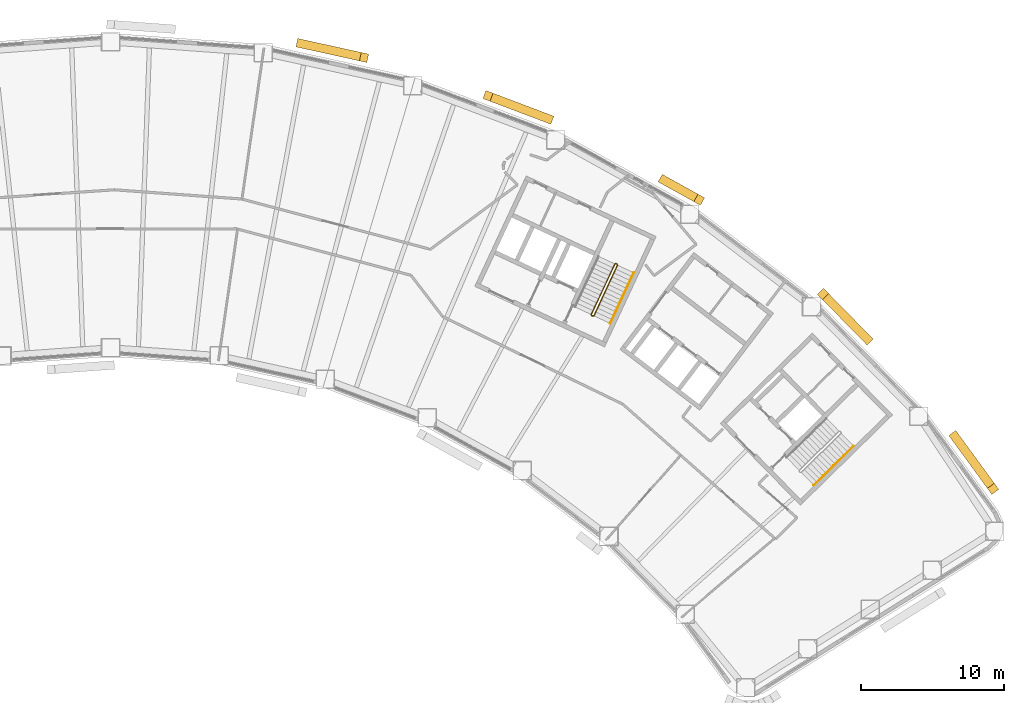
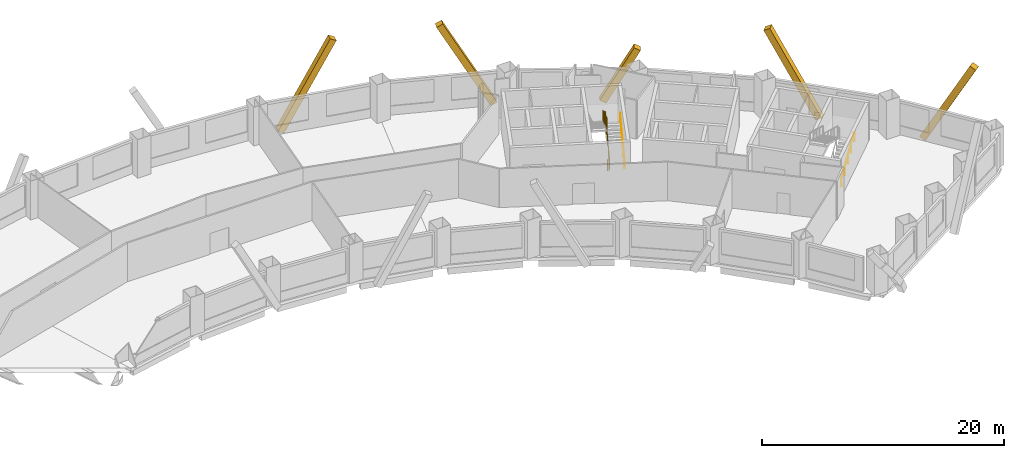
# One storey, part 11 of 11: 5 coverings, 3 railings.
"""IFC4 building model written with IfcOpenShell, lengths in metres."""

from ifc_helpers import new_model, si_unit, direction, frame, origin, origin_2d, place, context, subcontext, project, spatial, rectangle, circle, extrude, material, material_profile, profile_set, type_object, element, save


model = new_model("IFC4")

# Units and contexts
model_context = context("Model", 3, precision=1e-05, world=origin(), true_north=direction((0.0, 1.0)))
body_context = subcontext(model_context, "Body", "Model", "MODEL_VIEW")
ifc_project = project(units=[si_unit("LENGTHUNIT", "METRE"), si_unit("AREAUNIT", "SQUARE_METRE"), si_unit("VOLUMEUNIT", "CUBIC_METRE"), si_unit("PLANEANGLEUNIT", "RADIAN"), si_unit("MASSUNIT", "GRAM", prefix="KILO")], contexts=[model_context])

# Site, building, storey
site_placement = place(None, origin())
site = spatial("IfcSite", under=ifc_project, at=site_placement, CompositionType="ELEMENT")
building_placement = place(site_placement, origin())
building = spatial("IfcBuilding", under=site, at=building_placement, Name="Tuul Gate Civic Tower", CompositionType="ELEMENT")
storey_placement = place(building_placement, frame((0.0, 0.0, 48.300048828125)))
storey = spatial("IfcBuildingStorey", under=building, at=storey_placement, Name="Level 10", CompositionType="ELEMENT", Elevation=48.300048828125)

# Railings
ifc_material_1 = material(Name="Painted steel", Category="steel")
railing_type_1 = type_object("IfcRailingType", Name="Stair guard", PredefinedType="GUARDRAIL", material=ifc_material_1)
railing_1_placement = place(storey_placement, frame((33.645751953125, -5.238525390625, 0.0)))
element("IfcRailing", 1, at=railing_1_placement, inside=storey, type_object=railing_type_1, Name="Level 10 ST-4 stair guard 1", PredefinedType="GUARDRAIL", context=body_context, shape_type="SweptSolid", body=[
    extrude(circle(Radius=0.02392578125, at=origin_2d()), frame((0.0, 0.0, 1.076171875), z_axis=(-0.906307919131, 0.422617978463, 0.0), x_axis=(-0.422617978463, -0.906307919131, 0.0)), (0.0, 0.0, 1.0), 0.099853515625),
    extrude(circle(Radius=0.02392578125, at=origin_2d()), frame((-0.090576171875, 0.042236328125, 1.076171875), z_axis=(0.720735628292, -0.082946246491, 0.688229666829), x_axis=(0.114330889033, 0.993442724979, 0.0)), (0.0, 0.0, 1.0), 0.2177734375),
    extrude(circle(Radius=0.02392578125, at=origin_2d()), frame((0.06640625, 0.024169921875, 1.22607421875), z_axis=(0.377946903738, 0.810654114417, 0.447209173356), x_axis=(-0.906336612539, 0.422556439746, 0.0)), (0.0, 0.0, 1.0), 4.3603515625),
    extrude(circle(Radius=0.02392578125, at=origin_2d()), frame((1.71435546875, 3.558837890625, 3.17578125), z_axis=(-0.342020437038, 0.939692513883, 0.0), x_axis=(-0.939692513883, -0.342020437038, 0.0)), (0.0, 0.0, 1.0), 0.070556640625),
    extrude(circle(Radius=0.02392578125, at=origin_2d()), frame((1.690185546875, 3.625244140625, 3.17578125), z_axis=(-0.906307919131, 0.422617978463, 0.0), x_axis=(-0.422617978463, -0.906307919131, 0.0)), (0.0, 0.0, 1.0), 0.099853515625),
    extrude(circle(Radius=0.02392578125, at=origin_2d()), frame((1.599609375, 3.66748046875, 3.17578125), z_axis=(-0.400168791901, -0.145649670582, 0.904793408159), x_axis=(0.342020437038, -0.939692513883, 0.0)), (0.0, 0.0, 1.0), 0.166015625),
    extrude(circle(Radius=0.02392578125, at=origin_2d()), frame((1.533203125, 3.643310546875, 3.326171875), z_axis=(-0.377946903738, -0.810654114417, 0.447209173356), x_axis=(0.906336612539, -0.422556439746, 0.0)), (0.0, 0.0, 1.0), 4.3603515625),
    extrude(circle(Radius=0.02099609375, at=origin_2d()), origin(), (0.0, 0.0, 1.0), 1.052001953125),
    extrude(circle(Radius=0.02099609375, at=origin_2d()), frame((-0.090576171875, 0.042236328125, 0.0)), (0.0, 0.0, 1.0), 1.052001953125),
    extrude(circle(Radius=0.02099609375, at=origin_2d()), frame((0.06640625, 0.024169921875, 0.14990234375)), (0.0, 0.0, 1.0), 1.052001953125),
    extrude(circle(Radius=0.02099609375, at=origin_2d()), frame((0.478515625, 0.90771484375, 0.637451171875)), (0.0, 0.0, 1.0), 1.052001953125),
    extrude(circle(Radius=0.02099609375, at=origin_2d()), frame((0.890380859375, 1.79150390625, 1.125)), (0.0, 0.0, 1.0), 1.052001953125),
    extrude(circle(Radius=0.02099609375, at=origin_2d()), frame((1.30224609375, 2.67529296875, 1.6123046875)), (0.0, 0.0, 1.0), 1.052001953125),
    extrude(circle(Radius=0.02099609375, at=origin_2d()), frame((1.71435546875, 3.558837890625, 2.099853515625)), (0.0, 0.0, 1.0), 1.052001953125),
    extrude(circle(Radius=0.02099609375, at=origin_2d()), frame((1.690185546875, 3.625244140625, 2.099853515625)), (0.0, 0.0, 1.0), 1.052001953125),
    extrude(circle(Radius=0.02099609375, at=origin_2d()), frame((1.599609375, 3.66748046875, 2.099853515625)), (0.0, 0.0, 1.0), 1.052001953125),
    extrude(circle(Radius=0.02099609375, at=origin_2d()), frame((1.533203125, 3.643310546875, 2.25)), (0.0, 0.0, 1.0), 1.052001953125),
    extrude(circle(Radius=0.02099609375, at=origin_2d()), frame((1.12109375, 2.759765625, 2.737548828125)), (0.0, 0.0, 1.0), 1.052001953125),
    extrude(circle(Radius=0.02099609375, at=origin_2d()), frame((0.709228515625, 1.8759765625, 3.22509765625)), (0.0, 0.0, 1.0), 1.052001953125),
    extrude(circle(Radius=0.02099609375, at=origin_2d()), frame((0.29736328125, 0.9921875, 3.71240234375)), (0.0, 0.0, 1.0), 1.052001953125),
    extrude(circle(Radius=0.02099609375, at=origin_2d()), frame((-0.11474609375, 0.108642578125, 4.199951171875)), (0.0, 0.0, 1.0), 1.052001953125),
])
ifc_material_2 = material(Name="Painted steel", Category="steel")
railing_type_2 = type_object("IfcRailingType", Name="Stair handrail", PredefinedType="HANDRAIL", material=ifc_material_2)
railing_2_placement = place(storey_placement, frame((49.05126953125, -17.028076171875, 0.14990234375)))
element("IfcRailing", 2, at=railing_2_placement, inside=storey, type_object=railing_type_2, Name="Level 10 ST-3 stair handrail 1", PredefinedType="HANDRAIL", context=body_context, shape_type="SweptSolid", body=[
    extrude(circle(Radius=0.02392578125, at=origin_2d()), frame((0.0, 0.0, 0.8759765625), z_axis=(0.638753653487, 0.626099522554, 0.447205945863), x_axis=(-0.699997553204, 0.714145241186, 0.0)), (0.0, 0.0, 1.0), 4.3603515625),
    extrude(circle(Radius=0.02099609375, at=origin_2d()), origin(), (0.0, 0.0, 1.0), 0.851806640625),
    extrude(circle(Radius=0.02099609375, at=origin_2d()), frame((0.6962890625, 0.6826171875, 0.487548828125)), (0.0, 0.0, 1.0), 0.851806640625),
    extrude(circle(Radius=0.02099609375, at=origin_2d()), frame((1.392578125, 1.364990234375, 0.97509765625)), (0.0, 0.0, 1.0), 0.851806640625),
    extrude(circle(Radius=0.02099609375, at=origin_2d()), frame((2.0888671875, 2.04736328125, 1.46240234375)), (0.0, 0.0, 1.0), 0.851806640625),
    extrude(circle(Radius=0.02099609375, at=origin_2d()), frame((2.78515625, 2.72998046875, 1.949951171875)), (0.0, 0.0, 1.0), 0.851806640625),
])
railing_3_placement = place(storey_placement, frame((34.844970703125, -5.74267578125, 0.14990234375)))
element("IfcRailing", 3, at=railing_3_placement, inside=storey, type_object=railing_type_2, Name="Level 10 ST-4 stair handrail 1", PredefinedType="HANDRAIL", context=body_context, shape_type="SweptSolid", body=[
    extrude(circle(Radius=0.02392578125, at=origin_2d()), frame((0.0, 0.0, 0.8759765625), z_axis=(0.377994896215, 0.810636958585, 0.447199709091), x_axis=(-0.906312636903, 0.422607861012, 0.0)), (0.0, 0.0, 1.0), 4.3603515625),
    extrude(circle(Radius=0.02099609375, at=origin_2d()), origin(), (0.0, 0.0, 1.0), 0.851806640625),
    extrude(circle(Radius=0.02099609375, at=origin_2d()), frame((0.412109375, 0.8837890625, 0.487548828125)), (0.0, 0.0, 1.0), 0.851806640625),
    extrude(circle(Radius=0.02099609375, at=origin_2d()), frame((0.82421875, 1.767333984375, 0.97509765625)), (0.0, 0.0, 1.0), 0.851806640625),
    extrude(circle(Radius=0.02099609375, at=origin_2d()), frame((1.236083984375, 2.65087890625, 1.46240234375)), (0.0, 0.0, 1.0), 0.851806640625),
    extrude(circle(Radius=0.02099609375, at=origin_2d()), frame((1.648193359375, 3.53466796875, 1.949951171875)), (0.0, 0.0, 1.0), 0.851806640625),
])

# Coverings
ifc_material_3 = material(Name="Terracotta baguette", Category="masonry")
ifc_material_profile = material_profile(ifc_material_3, rectangle(XDim=0.60009765625, YDim=0.60009765625, at=origin_2d()), Name="Terracotta baguette screen frame")
ifc_profile_set = profile_set([ifc_material_profile], Name="Terracotta baguette")
covering_type = type_object("IfcCoveringType", Name="Terracotta baguette screen frame", PredefinedType="CLADDING", material=ifc_profile_set)
covering_1_placement = place(storey_placement, frame((61.5595703125, -17.285888671875, 8.050048828125), z_axis=(-0.2813642373, 0.385225062434, -0.878883278508), x_axis=(-0.807537279361, -0.589816532866, 0.0)))
element("IfcCovering", 4, at=covering_1_placement, inside=storey, type_object=covering_type, Name="Baguette 19", PredefinedType="CLADDING", context=body_context, shape_type="SweptSolid", body=[
    extrude(rectangle(XDim=0.60009765625, YDim=0.60009765625, at=origin_2d()), origin(), (0.0, 0.0, 1.0), 9.557861328125),
])
covering_2_placement = place(storey_placement, frame((49.693603515625, -3.690185546875, 7.8818359375), z_axis=(0.332614870984, -0.339347542938, -0.879892375636), x_axis=(0.714155733534, 0.699986848634, 0.0)))
element("IfcCovering", 5, at=covering_2_placement, inside=storey, type_object=covering_type, Name="Baguette 35", PredefinedType="CLADDING", context=body_context, shape_type="SweptSolid", body=[
    extrude(rectangle(XDim=0.60009765625, YDim=0.60009765625, at=origin_2d()), origin(), (0.0, 0.0, 1.0), 9.355712890625),
])
covering_3_placement = place(storey_placement, frame((41.06005859375, 2.883544921875, 4.924072265625), z_axis=(-0.415573698908, 0.230371933846, -0.879901854113), x_axis=(-0.484834849005, -0.874605722135, 0.0)))
element("IfcCovering", 6, at=covering_3_placement, inside=storey, type_object=covering_type, Name="Baguette 42", PredefinedType="CLADDING", context=body_context, shape_type="SweptSolid", body=[
    extrude(rectangle(XDim=0.60009765625, YDim=0.60009765625, at=origin_2d()), origin(), (0.0, 0.0, 1.0), 5.994140625),
])
covering_4_placement = place(storey_placement, frame((26.325927734375, 10.126708984375, 8.050048828125), z_axis=(0.444461438316, -0.168041203175, -0.879895552827), x_axis=(0.353646511094, 0.935379145155, 0.0)))
element("IfcCovering", 7, at=covering_4_placement, inside=storey, type_object=covering_type, Name="Baguette 56", PredefinedType="CLADDING", context=body_context, shape_type="SweptSolid", body=[
    extrude(rectangle(XDim=0.60009765625, YDim=0.60009765625, at=origin_2d()), origin(), (0.0, 0.0, 1.0), 9.546875),
])
covering_5_placement = place(storey_placement, frame((17.682373046875, 12.8056640625, 8.050048828125), z_axis=(-0.464025116939, 0.10229266838, -0.879895960239), x_axis=(-0.215277575, -0.976552899592, 0.0)))
element("IfcCovering", 8, at=covering_5_placement, inside=storey, type_object=covering_type, Name="Baguette 61", PredefinedType="CLADDING", context=body_context, shape_type="SweptSolid", body=[
    extrude(rectangle(XDim=0.60009765625, YDim=0.60009765625, at=origin_2d()), origin(), (0.0, 0.0, 1.0), 9.546630859375),
])

save(model, "model.ifc")
